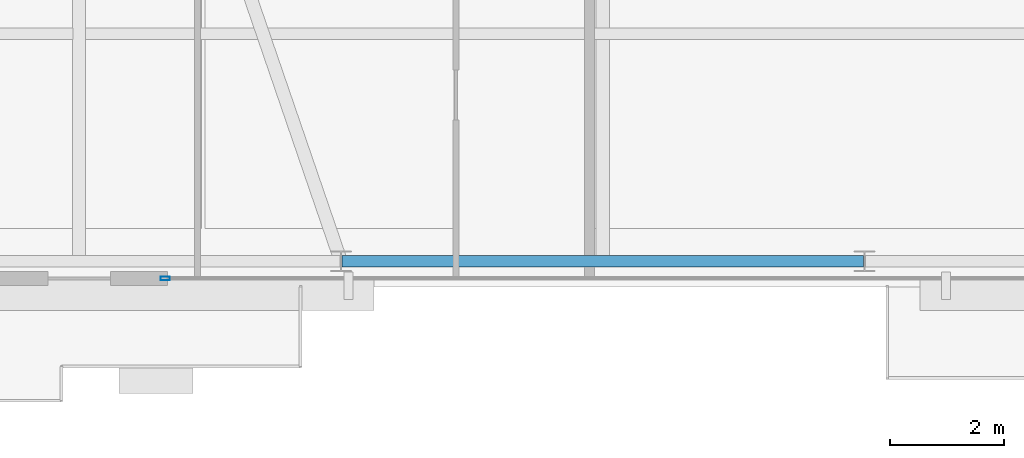
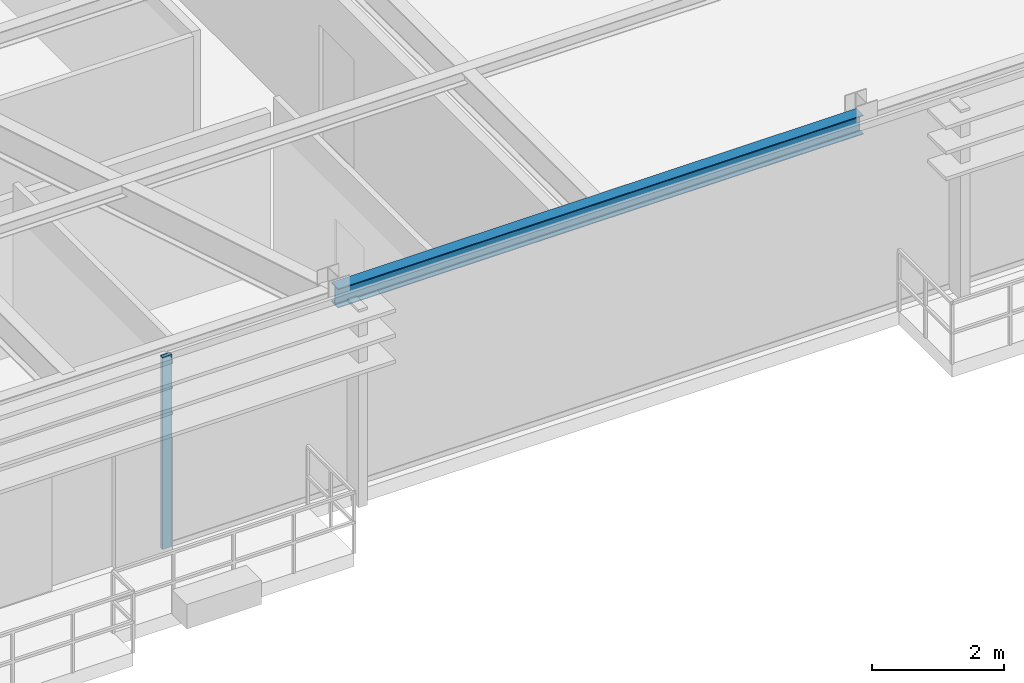
# One storey, part 8 of 30: 1 beam, 1 member, 1 element without a shape of its own.
"""IFC4 building model written with IfcOpenShell, lengths in metres."""

from ifc_helpers import new_model, si_unit, direction, frame, origin, origin_2d, place, context, subcontext, project, spatial, hollow_rectangle, i_section, extrude, source, transform, mapped, material, layer, layer_set, material_profile, profile_set, type_object, type_shapes, element, aggregate, save


model = new_model("IFC4")

# Units and contexts
model_context = context("Model", 3, precision=1e-05, world=origin(), true_north=direction((0.0, 1.0)))
body_context = subcontext(model_context, "Body", "Model", "MODEL_VIEW")
ifc_project = project(units=[si_unit("LENGTHUNIT", "METRE"), si_unit("AREAUNIT", "SQUARE_METRE"), si_unit("VOLUMEUNIT", "CUBIC_METRE"), si_unit("PLANEANGLEUNIT", "RADIAN"), si_unit("MASSUNIT", "GRAM", prefix="KILO")], contexts=[model_context])

# Site, building, storey
site_placement = place(None, origin())
site = spatial("IfcSite", under=ifc_project, at=site_placement, CompositionType="ELEMENT")
building_placement = place(site_placement, origin())
building = spatial("IfcBuilding", under=site, at=building_placement, Name="Varnel Quay Broadcast Tower", CompositionType="ELEMENT")
storey_placement = place(building_placement, frame((0.0, 0.0, 222.60009765625)))
storey = spatial("IfcBuildingStorey", under=building, at=storey_placement, Name="L55", CompositionType="ELEMENT", Elevation=222.60009765625)

# Beam
ifc_material_1 = material(Name="Structural Steel CSA G40.21 350W", Category="steel")
ifc_material_profile_1 = material_profile(ifc_material_1, i_section(OverallWidth=0.205078125, OverallDepth=0.35400390625, WebThickness=0.009521484375, FlangeThickness=0.016845703125, FilletRadius=0.012939453125, at=origin_2d()), Name="W360X79")
ifc_profile_set_1 = profile_set([ifc_material_profile_1], Name="Structural Steel CSA G40.21 350W")
beam_type = type_object("IfcBeamType", Name="Beam_W360X79", PredefinedType="SPANDREL", material=ifc_profile_set_1)
shared_shape_1 = source(origin(), body_context, "Body", "SweptSolid", [
    extrude(i_section(OverallWidth=0.205078125, OverallDepth=0.35400390625, WebThickness=0.009521484375, FlangeThickness=0.016845703125, FilletRadius=0.012939453125, at=origin_2d()), origin(), (0.0, 0.0, 1.0), 9.16015625),
])
type_shapes(beam_type, [shared_shape_1])
beam_placement = place(storey_placement, frame((29.419921875, 10.64990234375, 3.372802734375), z_axis=(1.0, 0.0, 0.0), x_axis=(0.0, 1.0, 0.0)))
element("IfcBeam", 1, at=beam_placement, inside=storey, type_object=beam_type, Name="L55 South Spandrel TC-S2-TC-S3", PredefinedType="SPANDREL", context=body_context, shape_type="MappedRepresentation", body=[
    mapped(shared_shape_1, transform((0.0, 0.0, 0.0), x_axis=(1.0, 0.0, 0.0), y_axis=(0.0, 1.0, 0.0), z_axis=(0.0, 0.0, 1.0), scale=1.0)),
])

# Curtain wall, member
ifc_material_2 = material(Name="Anodised Bronze Aluminium 6063-T6", Category="aluminium")
ifc_layer = layer(ifc_material_2, 0.18994140625, Name="Anodised Bronze Aluminium 6063-T6")
ifc_layer_set = layer_set([ifc_layer], Name="Anodised Bronze Aluminium 6063-T6")
curtain_wall_type = type_object("IfcCurtainWallType", Name="CW_UpperTower", PredefinedType="NOTDEFINED", material=ifc_layer_set)
curtain_wall_placement = place(storey_placement, origin())
curtain_wall = element("IfcCurtainWall", 2, at=curtain_wall_placement, inside=storey, type_object=curtain_wall_type, Name="L55 South Unitised Curtain Wall 2", PredefinedType="NOTDEFINED")
ifc_material_profile_2 = material_profile(ifc_material_2, hollow_rectangle(XDim=0.06494140625, YDim=0.1650390625, WallThickness=0.00341796875, at=origin_2d()), Name="ALU65X165X3.5")
ifc_profile_set_2 = profile_set([ifc_material_profile_2], Name="Anodised Bronze Aluminium 6063-T6")
member_type = type_object("IfcMemberType", Name="Mull_CWS-03", PredefinedType="MULLION", material=ifc_profile_set_2)
shared_shape_2 = source(origin(), body_context, "Body", "SweptSolid", [
    extrude(hollow_rectangle(XDim=0.06494140625, YDim=0.1650390625, WallThickness=0.00341796875, at=origin_2d()), origin(), (0.0, 0.0, 1.0), 3.5498046875),
])
type_shapes(member_type, [shared_shape_2])
member_placement = place(storey_placement, frame((26.3125, 10.35009765625, 0.0), z_axis=(0.0, 0.0, 1.0), x_axis=(0.0, 1.0, 0.0)))
member = element("IfcMember", 3, at=member_placement, type_object=member_type, Name="CWS-03 mullion 1", PredefinedType="MULLION", context=body_context, shape_type="MappedRepresentation", body=[
    mapped(shared_shape_2, transform((0.0, 0.0, 0.0), x_axis=(1.0, 0.0, 0.0), y_axis=(0.0, 1.0, 0.0), z_axis=(0.0, 0.0, 1.0), scale=1.0)),
])
aggregate(curtain_wall, [member])

save(model, "model.ifc")
